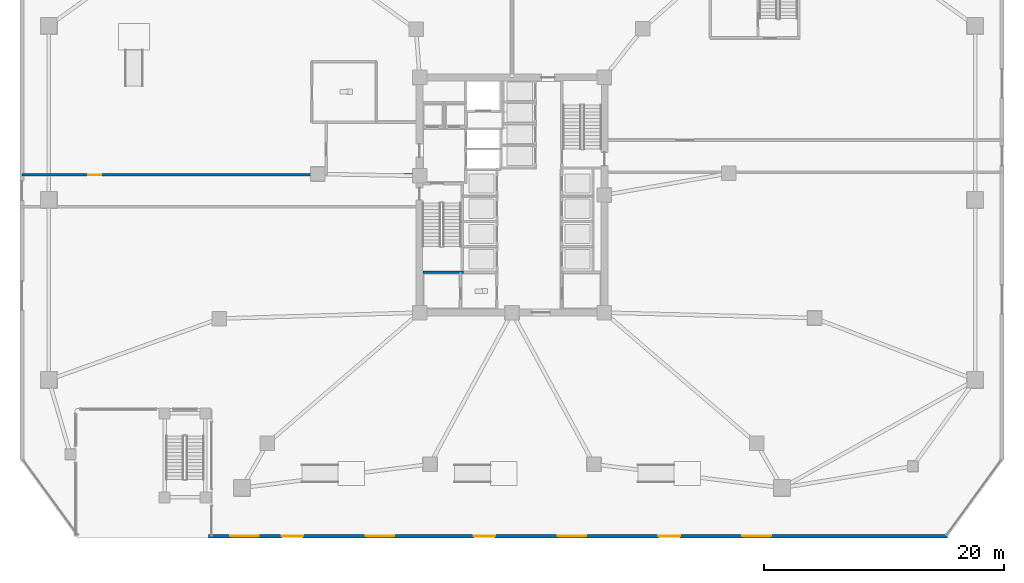
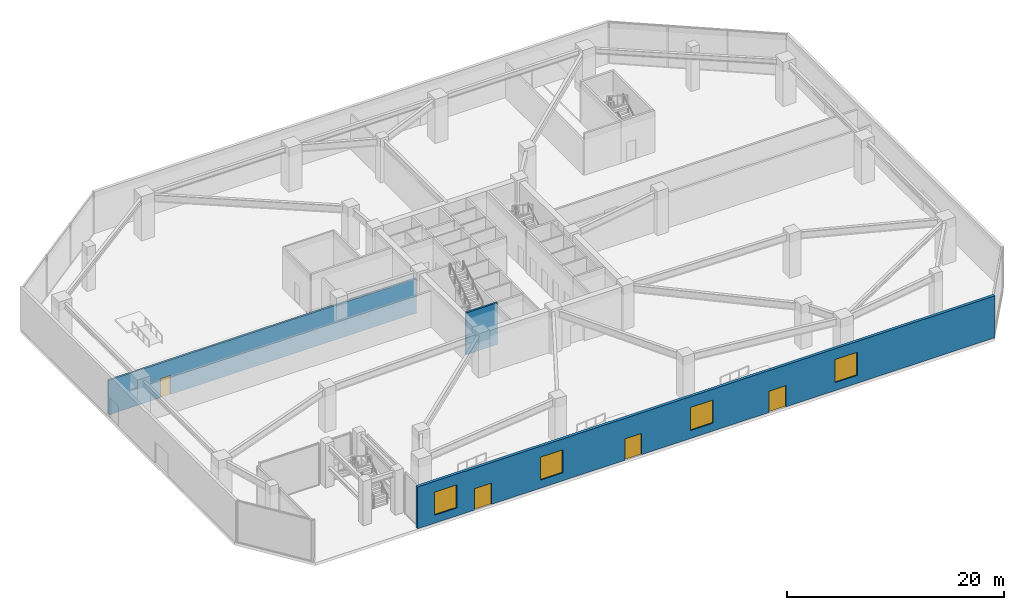
# One storey, part 9 of 22: 4 doors, 4 windows, 3 walls, 8 openings.
"""IFC4 building model written with IfcOpenShell, lengths in metres."""

from ifc_helpers import new_model, si_unit, direction, frame, frame_2d, origin, place, context, subcontext, project, spatial, rectangle, extrude, material, layer, layer_set, type_object, element, fill, save


model = new_model("IFC4")

# Units and contexts
model_context = context("Model", 3, precision=1e-05, world=origin(), true_north=direction((0.0, 1.0)))
body_context = subcontext(model_context, "Body", "Model", "MODEL_VIEW")
ifc_project = project(units=[si_unit("LENGTHUNIT", "METRE"), si_unit("AREAUNIT", "SQUARE_METRE"), si_unit("VOLUMEUNIT", "CUBIC_METRE"), si_unit("PLANEANGLEUNIT", "RADIAN"), si_unit("MASSUNIT", "GRAM", prefix="KILO")], contexts=[model_context])

# Site, building, storey
site_placement = place(None, origin())
site = spatial("IfcSite", under=ifc_project, at=site_placement, CompositionType="ELEMENT")
building_placement = place(site_placement, origin())
building = spatial("IfcBuilding", under=site, at=building_placement, Name="Savorim Split Tower", CompositionType="ELEMENT")
storey_placement = place(building_placement, origin())
storey = spatial("IfcBuildingStorey", under=building, at=storey_placement, Name="L00", CompositionType="ELEMENT", Elevation=0.0)

# Wall, openings, doors, windows
ifc_material_1 = material(Name="Concrete C50/60", Category="concrete")
ifc_layer_1 = layer(ifc_material_1, 0.300048828125)
ifc_layer_set_1 = layer_set([ifc_layer_1], Name="WAL-EXT-POD300")
wall_type_1 = type_object("IfcWallType", Name="WAL-EXT-POD300", PredefinedType="SOLIDWALL", material=ifc_layer_set_1)
wall_1_placement = place(storey_placement, frame((36.300048828125, -28.02001953125, 0.0), z_axis=(0.0, 0.0, 1.0), x_axis=(-1.0, 0.0, 0.0)))
wall_1 = element("IfcWall", 1, at=wall_1_placement, inside=storey, type_object=wall_type_1, Name="L00 Exterior Podium Wall S", PredefinedType="SOLIDWALL", context=body_context, shape_type="SweptSolid", body=[
    extrude(rectangle(XDim=61.60009765625, YDim=0.300048828125, at=frame_2d((30.800048828125, 0.0))), origin(), (0.0, 0.0, 1.0), 4.719970703125),
])
opening_1_placement = place(wall_1_placement, frame((53.699951171875, 0.0, 0.0)))
opening_1 = element("IfcOpeningElement", 2, at=opening_1_placement, cuts=wall_1, Name="Opening DE-01", PredefinedType="OPENING", context=body_context, shape_type="SweptSolid", body=[
    extrude(rectangle(XDim=1.800048828125, YDim=2.39990234375, at=frame_2d((0.89990234375, 1.199951171875))), frame((0.0, 0.159912109375, 0.0), z_axis=(0.0, -1.0, 0.0), x_axis=(1.0, 0.0, 0.0)), (0.0, 0.0, 1.0), 0.320068359375),
])
opening_2_placement = place(wall_1_placement, frame((37.699951171875, 0.0, 0.0)))
opening_2 = element("IfcOpeningElement", 3, at=opening_2_placement, cuts=wall_1, Name="Opening DE-01", PredefinedType="OPENING", context=body_context, shape_type="SweptSolid", body=[
    extrude(rectangle(XDim=1.800048828125, YDim=2.39990234375, at=frame_2d((0.89990234375, 1.199951171875))), frame((0.0, 0.159912109375, 0.0), z_axis=(0.0, -1.0, 0.0), x_axis=(1.0, 0.0, 0.0)), (0.0, 0.0, 1.0), 0.320068359375),
])
opening_3_placement = place(wall_1_placement, frame((22.300048828125, 0.0, 0.0)))
opening_3 = element("IfcOpeningElement", 4, at=opening_3_placement, cuts=wall_1, Name="Opening DE-01", PredefinedType="OPENING", context=body_context, shape_type="SweptSolid", body=[
    extrude(rectangle(XDim=1.800048828125, YDim=2.39990234375, at=frame_2d((0.89990234375, 1.199951171875))), frame((0.0, 0.159912109375, 0.0), z_axis=(0.0, -1.0, 0.0), x_axis=(1.0, 0.0, 0.0)), (0.0, 0.0, 1.0), 0.320068359375),
])
opening_4_placement = place(wall_1_placement, frame((57.39990234375, 0.0, 0.89990234375)))
opening_4 = element("IfcOpeningElement", 5, at=opening_4_placement, cuts=wall_1, Name="Opening WN-01", PredefinedType="OPENING", context=body_context, shape_type="SweptSolid", body=[
    extrude(rectangle(XDim=2.39990234375, YDim=2.60009765625, at=frame_2d((1.199951171875, 1.300048828125))), frame((0.0, 0.159912109375, 0.0), z_axis=(0.0, -1.0, 0.0), x_axis=(1.0, 0.0, 0.0)), (0.0, 0.0, 1.0), 0.320068359375),
])
opening_5_placement = place(wall_1_placement, frame((46.10009765625, 0.0, 0.89990234375)))
opening_5 = element("IfcOpeningElement", 6, at=opening_5_placement, cuts=wall_1, Name="Opening WN-01", PredefinedType="OPENING", context=body_context, shape_type="SweptSolid", body=[
    extrude(rectangle(XDim=2.39990234375, YDim=2.60009765625, at=frame_2d((1.199951171875, 1.300048828125))), frame((0.0, 0.159912109375, 0.0), z_axis=(0.0, -1.0, 0.0), x_axis=(1.0, 0.0, 0.0)), (0.0, 0.0, 1.0), 0.320068359375),
])
opening_6_placement = place(wall_1_placement, frame((30.10009765625, 0.0, 0.89990234375)))
opening_6 = element("IfcOpeningElement", 7, at=opening_6_placement, cuts=wall_1, Name="Opening WN-01", PredefinedType="OPENING", context=body_context, shape_type="SweptSolid", body=[
    extrude(rectangle(XDim=2.39990234375, YDim=2.60009765625, at=frame_2d((1.199951171875, 1.300048828125))), frame((0.0, 0.159912109375, 0.0), z_axis=(0.0, -1.0, 0.0), x_axis=(1.0, 0.0, 0.0)), (0.0, 0.0, 1.0), 0.320068359375),
])
opening_7_placement = place(wall_1_placement, frame((14.699951171875, 0.0, 0.89990234375)))
opening_7 = element("IfcOpeningElement", 8, at=opening_7_placement, cuts=wall_1, Name="Opening WN-01", PredefinedType="OPENING", context=body_context, shape_type="SweptSolid", body=[
    extrude(rectangle(XDim=2.39990234375, YDim=2.60009765625, at=frame_2d((1.199951171875, 1.300048828125))), frame((0.0, 0.159912109375, 0.0), z_axis=(0.0, -1.0, 0.0), x_axis=(1.0, 0.0, 0.0)), (0.0, 0.0, 1.0), 0.320068359375),
])
ifc_material_2 = material(Name="Charcoal Anodised Aluminium", Category="aluminium")
door_type_1 = type_object("IfcDoorType", Name="DOR-EXT-1800", OperationType="NOTDEFINED", PredefinedType="DOOR", material=ifc_material_2)
door_1_placement = place(opening_1_placement, origin())
door_1 = element("IfcDoor", 9, at=door_1_placement, inside=storey, type_object=door_type_1, Name="DOR-L00-ENT1 - L00 Main South Entrance Door 1", OperationType="DOUBLE_DOOR_SINGLE_SWING", OverallHeight=2.39990234375, OverallWidth=1.800048828125, PredefinedType="DOOR", context=body_context, shape_type="SweptSolid", body=[
    extrude(rectangle(XDim=1.800048828125, YDim=2.39990234375, at=frame_2d((0.89990234375, 1.199951171875))), frame((0.0, 0.02490234375, 0.0), z_axis=(0.0, -1.0, 0.0), x_axis=(1.0, 0.0, 0.0)), (0.0, 0.0, 1.0), 0.050048828125),
])
fill(opening_1, door_1)
door_2_placement = place(opening_2_placement, origin())
door_2 = element("IfcDoor", 10, at=door_2_placement, inside=storey, type_object=door_type_1, Name="DOR-L00-ENT2 - L00 Main South Entrance Door 2", OperationType="DOUBLE_DOOR_SINGLE_SWING", OverallHeight=2.39990234375, OverallWidth=1.800048828125, PredefinedType="DOOR", context=body_context, shape_type="SweptSolid", body=[
    extrude(rectangle(XDim=1.800048828125, YDim=2.39990234375, at=frame_2d((0.89990234375, 1.199951171875))), frame((0.0, 0.02490234375, 0.0), z_axis=(0.0, -1.0, 0.0), x_axis=(1.0, 0.0, 0.0)), (0.0, 0.0, 1.0), 0.050048828125),
])
fill(opening_2, door_2)
door_3_placement = place(opening_3_placement, origin())
door_3 = element("IfcDoor", 11, at=door_3_placement, inside=storey, type_object=door_type_1, Name="DOR-L00-ENT3 - L00 South Concourse Final Exit Door", OperationType="DOUBLE_DOOR_SINGLE_SWING", OverallHeight=2.39990234375, OverallWidth=1.800048828125, PredefinedType="DOOR", context=body_context, shape_type="SweptSolid", body=[
    extrude(rectangle(XDim=1.800048828125, YDim=2.39990234375, at=frame_2d((0.89990234375, 1.199951171875))), frame((0.0, 0.02490234375, 0.0), z_axis=(0.0, -1.0, 0.0), x_axis=(1.0, 0.0, 0.0)), (0.0, 0.0, 1.0), 0.050048828125),
])
fill(opening_3, door_3)
ifc_material_3 = material(Name="Low-E Operable Double Glazing", Category="glass")
window_type = type_object("IfcWindowType", Name="WIN-POD-2400x2600", PartitioningType="DOUBLE_PANEL_VERTICAL", PredefinedType="WINDOW", material=ifc_material_3)
window_1_placement = place(opening_4_placement, origin())
window_1 = element("IfcWindow", 12, at=window_1_placement, inside=storey, type_object=window_type, Name="L00 Podium Window WPS1", OverallHeight=2.60009765625, OverallWidth=2.39990234375, PartitioningType="SINGLE_PANEL", PredefinedType="WINDOW", context=body_context, shape_type="SweptSolid", body=[
    extrude(rectangle(XDim=2.39990234375, YDim=2.60009765625, at=frame_2d((1.199951171875, 1.300048828125))), frame((0.0, 0.030029296875, 0.0), z_axis=(0.0, -1.0, 0.0), x_axis=(1.0, 0.0, 0.0)), (0.0, 0.0, 1.0), 0.06005859375),
])
fill(opening_4, window_1)
window_2_placement = place(opening_5_placement, origin())
window_2 = element("IfcWindow", 13, at=window_2_placement, inside=storey, type_object=window_type, Name="L00 Podium Window WPS2", OverallHeight=2.60009765625, OverallWidth=2.39990234375, PartitioningType="SINGLE_PANEL", PredefinedType="WINDOW", context=body_context, shape_type="SweptSolid", body=[
    extrude(rectangle(XDim=2.39990234375, YDim=2.60009765625, at=frame_2d((1.199951171875, 1.300048828125))), frame((0.0, 0.030029296875, 0.0), z_axis=(0.0, -1.0, 0.0), x_axis=(1.0, 0.0, 0.0)), (0.0, 0.0, 1.0), 0.06005859375),
])
fill(opening_5, window_2)
window_3_placement = place(opening_6_placement, origin())
window_3 = element("IfcWindow", 14, at=window_3_placement, inside=storey, type_object=window_type, Name="L00 Podium Window WPS3", OverallHeight=2.60009765625, OverallWidth=2.39990234375, PartitioningType="SINGLE_PANEL", PredefinedType="WINDOW", context=body_context, shape_type="SweptSolid", body=[
    extrude(rectangle(XDim=2.39990234375, YDim=2.60009765625, at=frame_2d((1.199951171875, 1.300048828125))), frame((0.0, 0.030029296875, 0.0), z_axis=(0.0, -1.0, 0.0), x_axis=(1.0, 0.0, 0.0)), (0.0, 0.0, 1.0), 0.06005859375),
])
fill(opening_6, window_3)
window_4_placement = place(opening_7_placement, origin())
window_4 = element("IfcWindow", 15, at=window_4_placement, inside=storey, type_object=window_type, Name="L00 Podium Window WPS4", OverallHeight=2.60009765625, OverallWidth=2.39990234375, PartitioningType="SINGLE_PANEL", PredefinedType="WINDOW", context=body_context, shape_type="SweptSolid", body=[
    extrude(rectangle(XDim=2.39990234375, YDim=2.60009765625, at=frame_2d((1.199951171875, 1.300048828125))), frame((0.0, 0.030029296875, 0.0), z_axis=(0.0, -1.0, 0.0), x_axis=(1.0, 0.0, 0.0)), (0.0, 0.0, 1.0), 0.06005859375),
])
fill(opening_7, window_4)

# Wall
ifc_layer_2 = layer(ifc_material_1, 0.199951171875)
ifc_layer_set_2 = layer_set([ifc_layer_2], Name="WAL-INT-RC200")
wall_type_2 = type_object("IfcWallType", Name="WAL-INT-RC200", PredefinedType="SOLIDWALL", material=ifc_layer_set_2)
wall_2_placement = place(storey_placement, frame((-7.39990234375, -6.050048828125, 0.0), z_axis=(0.0, 0.0, 1.0), x_axis=(1.0, 0.0, 0.0)))
element("IfcWall", 16, at=wall_2_placement, inside=storey, type_object=wall_type_2, Name="L00 Structural Shaft Wall W-L00-KSEP-W", PredefinedType="SOLIDWALL", context=body_context, shape_type="SweptSolid", body=[
    extrude(rectangle(XDim=3.349853515625, YDim=0.199951171875, at=frame_2d((1.6748046875, 0.0))), origin(), (0.0, 0.0, 1.0), 4.719970703125),
])

# Wall, opening, door
wall_3_placement = place(storey_placement, frame((-40.820068359375, 2.080078125, 0.0), z_axis=(0.0, 0.0, 1.0), x_axis=(1.0, 0.0, 0.0)))
wall_3 = element("IfcWall", 17, at=wall_3_placement, inside=storey, type_object=wall_type_2, Name="L00 Partition W-L00-EPW2", PredefinedType="SOLIDWALL", context=body_context, shape_type="SweptSolid", body=[
    extrude(rectangle(XDim=32.820068359375, YDim=0.199951171875, at=frame_2d((16.41015625, 0.0))), origin(), (0.0, 0.0, 1.0), 3.881103515625),
])
opening_8_placement = place(wall_3_placement, frame((5.5, 0.0, 0.0)))
opening_8 = element("IfcOpeningElement", 18, at=opening_8_placement, cuts=wall_3, Name="Opening DI-03", PredefinedType="OPENING", context=body_context, shape_type="SweptSolid", body=[
    extrude(rectangle(XDim=1.10009765625, YDim=2.14990234375, at=frame_2d((0.550048828125, 1.074951171875))), frame((0.0, 0.10986328125, 0.0), z_axis=(0.0, -1.0, 0.0), x_axis=(1.0, 0.0, 0.0)), (0.0, 0.0, 1.0), 0.219970703125),
])
ifc_material_4 = material(Name="Timber Fire Door Leaf", Category="wood")
door_type_2 = type_object("IfcDoorType", Name="DOR-FIR-1100", OperationType="NOTDEFINED", PredefinedType="DOOR", material=ifc_material_4)
door_4_placement = place(opening_8_placement, origin())
door_4 = element("IfcDoor", 19, at=door_4_placement, inside=storey, type_object=door_type_2, Name="DR-L00-LOUG - L00 Communal Lounge Corridor Door", OperationType="SINGLE_SWING_RIGHT", OverallHeight=2.14990234375, OverallWidth=1.10009765625, PredefinedType="DOOR", context=body_context, shape_type="SweptSolid", body=[
    extrude(rectangle(XDim=1.10009765625, YDim=2.14990234375, at=frame_2d((0.550048828125, 1.074951171875))), frame((0.0, 0.02490234375, 0.0), z_axis=(0.0, -1.0, 0.0), x_axis=(1.0, 0.0, 0.0)), (0.0, 0.0, 1.0), 0.050048828125),
])
fill(opening_8, door_4)

save(model, "model.ifc")
